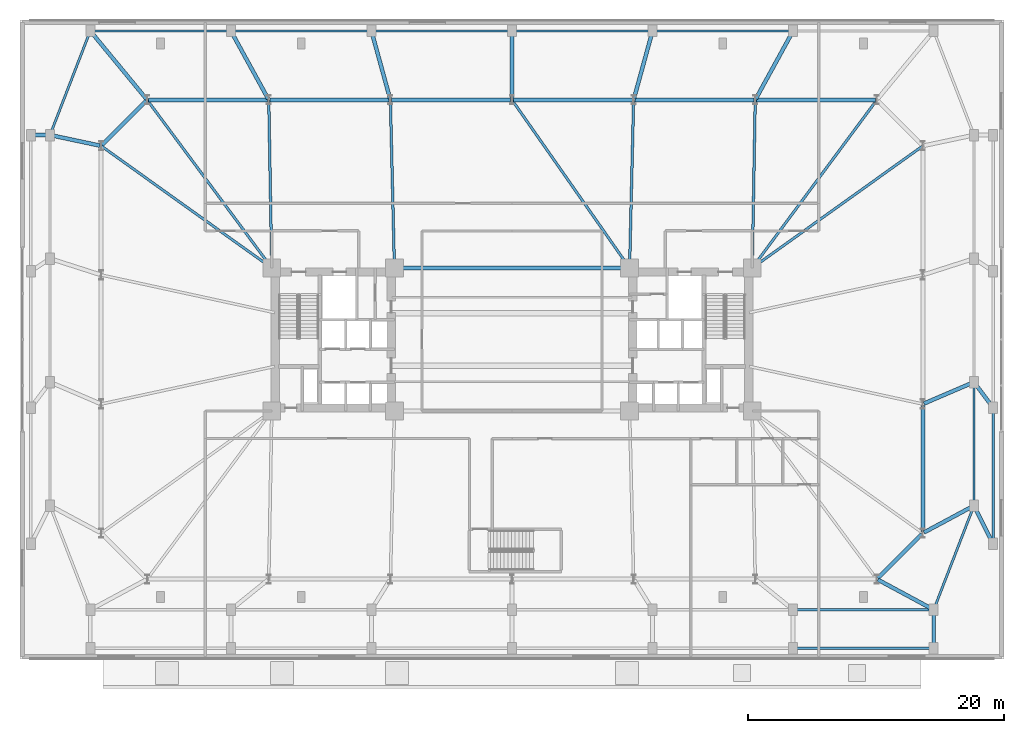
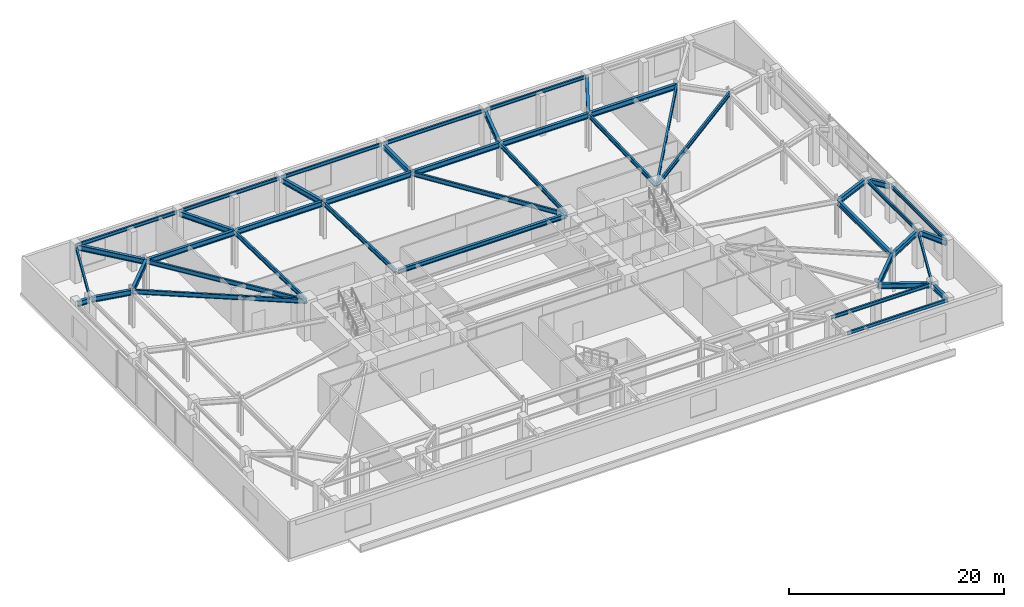
# One storey, part 10 of 21: 44 beams.
"""IFC4 building model written with IfcOpenShell, lengths in metres."""

from ifc_helpers import new_model, si_unit, direction, frame, origin, origin_2d, place, context, subcontext, project, spatial, i_section, extrude, material, material_profile, profile_set, type_object, element, save


model = new_model("IFC4")

# Units and contexts
model_context = context("Model", 3, precision=1e-05, world=origin(), true_north=direction((0.0, 1.0)))
body_context = subcontext(model_context, "Body", "Model", "MODEL_VIEW")
ifc_project = project(units=[si_unit("LENGTHUNIT", "METRE"), si_unit("AREAUNIT", "SQUARE_METRE"), si_unit("VOLUMEUNIT", "CUBIC_METRE"), si_unit("PLANEANGLEUNIT", "RADIAN"), si_unit("MASSUNIT", "GRAM", prefix="KILO")], contexts=[model_context])

# Site, building, storey
site_placement = place(None, origin())
site = spatial("IfcSite", under=ifc_project, at=site_placement, CompositionType="ELEMENT")
building_placement = place(site_placement, origin())
building = spatial("IfcBuilding", under=site, at=building_placement, Name="Qobustan Lattice House", CompositionType="ELEMENT")
storey_placement = place(building_placement, frame((0.0, 0.0, 4.5)))
storey = spatial("IfcBuildingStorey", under=building, at=storey_placement, Name="L01", CompositionType="ELEMENT", Elevation=4.5)

# Beams
ifc_material_1 = material(Name="Steel S355", Category="steel")
ifc_material_profile_1 = material_profile(ifc_material_1, i_section(OverallWidth=0.300048828125, OverallDepth=0.5, WebThickness=0.014404296875, FlangeThickness=0.028076171875, FilletRadius=0.027099609375, at=origin_2d()), Name="HEB500")
ifc_profile_set_1 = profile_set([ifc_material_profile_1], Name="Steel S355")
beam_type_1 = type_object("IfcBeamType", Name="BM-CG-HEB500", PredefinedType="USERDEFINED", material=ifc_profile_set_1)
beam_1_placement = place(storey_placement, frame((-9.050048828125, 5.60009765625, 3.919921875), z_axis=(1.0, 0.0, 0.0), x_axis=(0.0, 1.0, 0.0)))
element("IfcBeam", 1, at=beam_1_placement, inside=storey, type_object=beam_type_1, Name="L01 core spine girder CG-CN", ObjectType="GIRDER", PredefinedType="USERDEFINED", context=body_context, shape_type="SweptSolid", body=[
    extrude(i_section(OverallWidth=0.300048828125, OverallDepth=0.5, WebThickness=0.014404296875, FlangeThickness=0.028076171875, FilletRadius=0.027099609375, at=origin_2d()), origin(), (0.0, 0.0, 1.0), 18.10009765625),
])
ifc_material_2 = material(Name="Steel S355", Category="steel")
ifc_material_profile_2 = material_profile(ifc_material_2, i_section(OverallWidth=0.199951171875, OverallDepth=0.5, WebThickness=0.01025390625, FlangeThickness=0.01611328125, FilletRadius=0.02099609375, at=origin_2d()), Name="IPE500")
ifc_profile_set_2 = profile_set([ifc_material_profile_2], Name="Steel S355")
beam_type_2 = type_object("IfcBeamType", Name="BM-FLG-IPE500", PredefinedType="USERDEFINED", material=ifc_profile_set_2)
beam_2_placement = place(storey_placement, frame((-28.53515625, 18.72998046875, 3.919921875), z_axis=(0.5955916815, -0.803287338956, 0.0), x_axis=(0.803287338956, 0.5955916815, 0.0)))
element("IfcBeam", 2, at=beam_2_placement, inside=storey, type_object=beam_type_2, Name="L01 primary floor girder RAD-N7W", ObjectType="GIRDER", PredefinedType="USERDEFINED", context=body_context, shape_type="SweptSolid", body=[
    extrude(i_section(OverallWidth=0.199951171875, OverallDepth=0.5, WebThickness=0.01025390625, FlangeThickness=0.01611328125, FilletRadius=0.02099609375, at=origin_2d()), origin(), (0.0, 0.0, 1.0), 16.3203125),
])
beam_3_placement = place(storey_placement, frame((-19.032958984375, 18.72509765625, 3.919921875), z_axis=(0.017757831607, -0.999842317276, 0.0), x_axis=(0.999842317276, 0.017757831607, 0.0)))
element("IfcBeam", 3, at=beam_3_placement, inside=storey, type_object=beam_type_2, Name="L01 primary floor girder RAD-N6", ObjectType="GIRDER", PredefinedType="USERDEFINED", context=body_context, shape_type="SweptSolid", body=[
    extrude(i_section(OverallWidth=0.199951171875, OverallDepth=0.5, WebThickness=0.01025390625, FlangeThickness=0.01611328125, FilletRadius=0.02099609375, at=origin_2d()), origin(), (0.0, 0.0, 1.0), 13.10205078125),
])
beam_4_placement = place(storey_placement, frame((-9.51611328125, 18.72509765625, 3.919921875), z_axis=(0.024071445657, -0.999710240772, 0.0), x_axis=(0.999710240772, 0.024071445657, 0.0)))
element("IfcBeam", 4, at=beam_4_placement, inside=storey, type_object=beam_type_2, Name="L01 primary floor girder RAD-N5", ObjectType="GIRDER", PredefinedType="USERDEFINED", context=body_context, shape_type="SweptSolid", body=[
    extrude(i_section(OverallWidth=0.199951171875, OverallDepth=0.5, WebThickness=0.01025390625, FlangeThickness=0.01611328125, FilletRadius=0.02099609375, at=origin_2d()), origin(), (0.0, 0.0, 1.0), 13.10400390625),
])
beam_5_placement = place(storey_placement, frame((0.014404296875, 18.7294921875, 3.919921875), z_axis=(0.57325954206, -0.819373844736, 0.0), x_axis=(0.819373844736, 0.57325954206, 0.0)))
element("IfcBeam", 5, at=beam_5_placement, inside=storey, type_object=beam_type_2, Name="L01 primary floor girder RAD-N4", ObjectType="GIRDER", PredefinedType="USERDEFINED", context=body_context, shape_type="SweptSolid", body=[
    extrude(i_section(OverallWidth=0.199951171875, OverallDepth=0.5, WebThickness=0.01025390625, FlangeThickness=0.01611328125, FilletRadius=0.02099609375, at=origin_2d()), origin(), (0.0, 0.0, 1.0), 15.998779296875),
])
beam_6_placement = place(storey_placement, frame((9.51611328125, 18.72509765625, 3.919921875), z_axis=(-0.024071445657, -0.999710240772, 0.0), x_axis=(0.999710240772, -0.024071445657, 0.0)))
element("IfcBeam", 6, at=beam_6_placement, inside=storey, type_object=beam_type_2, Name="L01 primary floor girder RAD-N3", ObjectType="GIRDER", PredefinedType="USERDEFINED", context=body_context, shape_type="SweptSolid", body=[
    extrude(i_section(OverallWidth=0.199951171875, OverallDepth=0.5, WebThickness=0.01025390625, FlangeThickness=0.01611328125, FilletRadius=0.02099609375, at=origin_2d()), origin(), (0.0, 0.0, 1.0), 13.10400390625),
])
beam_7_placement = place(storey_placement, frame((19.032958984375, 18.72509765625, 3.919921875), z_axis=(-0.017757831607, -0.999842317276, 0.0), x_axis=(0.999842317276, -0.017757831607, 0.0)))
element("IfcBeam", 7, at=beam_7_placement, inside=storey, type_object=beam_type_2, Name="L01 primary floor girder RAD-N2", ObjectType="GIRDER", PredefinedType="USERDEFINED", context=body_context, shape_type="SweptSolid", body=[
    extrude(i_section(OverallWidth=0.199951171875, OverallDepth=0.5, WebThickness=0.01025390625, FlangeThickness=0.01611328125, FilletRadius=0.02099609375, at=origin_2d()), origin(), (0.0, 0.0, 1.0), 13.10205078125),
])
beam_8_placement = place(storey_placement, frame((28.53515625, 18.72998046875, 3.919921875), z_axis=(-0.5955916815, -0.803287338956, 0.0), x_axis=(0.803287338956, -0.5955916815, 0.0)))
element("IfcBeam", 8, at=beam_8_placement, inside=storey, type_object=beam_type_2, Name="L01 primary floor girder RAD-N1E", ObjectType="GIRDER", PredefinedType="USERDEFINED", context=body_context, shape_type="SweptSolid", body=[
    extrude(i_section(OverallWidth=0.199951171875, OverallDepth=0.5, WebThickness=0.01025390625, FlangeThickness=0.01611328125, FilletRadius=0.02099609375, at=origin_2d()), origin(), (0.0, 0.0, 1.0), 16.3203125),
])
for number, where, z_axis, x_axis, name in (
    (9, (-32.129638671875, 15.135498046875, 3.919921875), (0.813318954893, -0.581818079481, 0.0), (0.581818079481, 0.813318954893, 0.0), "L01 primary floor girder RAD-W1"),
    (10, (32.129638671875, 15.135498046875, 3.919921875), (-0.813318954893, -0.581818079481, 0.0), (0.581818079481, -0.813318954893, 0.0), "L01 primary floor girder RAD-E4"),
):
    element("IfcBeam", number, at=place(storey_placement, frame(where, z_axis=z_axis, x_axis=x_axis)), inside=storey, type_object=beam_type_2, Name=name, ObjectType="GIRDER", PredefinedType="USERDEFINED", context=body_context, shape_type="SweptSolid", body=[
        extrude(i_section(OverallWidth=0.199951171875, OverallDepth=0.5, WebThickness=0.01025390625, FlangeThickness=0.01611328125, FilletRadius=0.02099609375, at=origin_2d()), origin(), (0.0, 0.0, 1.0), 16.3642578125),
    ])
ifc_material_3 = material(Name="Steel S355", Category="steel")
ifc_material_profile_3 = material_profile(ifc_material_3, i_section(OverallWidth=0.300048828125, OverallDepth=0.60009765625, WebThickness=0.015380859375, FlangeThickness=0.030029296875, FilletRadius=0.027099609375, at=origin_2d()), Name="HEB600")
ifc_profile_set_3 = profile_set([ifc_material_profile_3], Name="Steel S355")
beam_type_3 = type_object("IfcBeamType", Name="BM-POD-HEB600", PredefinedType="USERDEFINED", material=ifc_profile_set_3)
beam_9_placement = place(storey_placement, frame((33.0, -24.030029296875, 3.8701171875), z_axis=(0.0, 1.0, 0.0), x_axis=(-1.0, 0.0, 0.0)))
element("IfcBeam", 11, at=beam_9_placement, inside=storey, type_object=beam_type_3, Name="L01 south terrace tie girder 7", ObjectType="GIRDER", PredefinedType="USERDEFINED", context=body_context, shape_type="SweptSolid", body=[
    extrude(i_section(OverallWidth=0.300048828125, OverallDepth=0.60009765625, WebThickness=0.015380859375, FlangeThickness=0.030029296875, FilletRadius=0.027099609375, at=origin_2d()), origin(), (0.0, 0.0, 1.0), 2.760009765625),
])
beam_10_placement = place(storey_placement, frame((37.59619140625, -15.892578125, 3.8701171875), z_axis=(-0.4472135955, 0.894427191, 0.0), x_axis=(-0.894427191, -0.4472135955, 0.0)))
element("IfcBeam", 12, at=beam_10_placement, inside=storey, type_object=beam_type_3, Name="L01 setback tie girder PEL1", ObjectType="GIRDER", PredefinedType="USERDEFINED", context=body_context, shape_type="SweptSolid", body=[
    extrude(i_section(OverallWidth=0.300048828125, OverallDepth=0.60009765625, WebThickness=0.015380859375, FlangeThickness=0.030029296875, FilletRadius=0.027099609375, at=origin_2d()), origin(), (0.0, 0.0, 1.0), 3.114013671875),
])
beam_11_placement = place(storey_placement, frame((37.577880859375, -5.2373046875, 3.8701171875), z_axis=(-0.599965431752, 0.800025925019, 0.0), x_axis=(-0.800025925019, -0.599965431752, 0.0)))
element("IfcBeam", 13, at=beam_11_placement, inside=storey, type_object=beam_type_3, Name="L01 setback tie girder PEL2", ObjectType="GIRDER", PredefinedType="USERDEFINED", context=body_context, shape_type="SweptSolid", body=[
    extrude(i_section(OverallWidth=0.300048828125, OverallDepth=0.60009765625, WebThickness=0.015380859375, FlangeThickness=0.030029296875, FilletRadius=0.027099609375, at=origin_2d()), origin(), (0.0, 0.0, 1.0), 2.260009765625),
])
beam_12_placement = place(storey_placement, frame((-37.530029296875, 16.0, 3.8701171875), z_axis=(1.0, 0.0, 0.0), x_axis=(0.0, 1.0, 0.0)))
element("IfcBeam", 14, at=beam_12_placement, inside=storey, type_object=beam_type_3, Name="L01 setback tie girder PWL4", ObjectType="GIRDER", PredefinedType="USERDEFINED", context=body_context, shape_type="SweptSolid", body=[
    extrude(i_section(OverallWidth=0.300048828125, OverallDepth=0.60009765625, WebThickness=0.015380859375, FlangeThickness=0.030029296875, FilletRadius=0.027099609375, at=origin_2d()), origin(), (0.0, 0.0, 1.0), 1.260009765625),
])
beam_13_placement = place(storey_placement, frame((28.62060546875, -18.67919921875, 3.8701171875), z_axis=(0.70713173775, 0.707081823743, 0.0), x_axis=(-0.707081823743, 0.70713173775, 0.0)))
element("IfcBeam", 15, at=beam_13_placement, inside=storey, type_object=beam_type_3, Name="L01 tower base ring girder S7-E1", ObjectType="GIRDER", PredefinedType="USERDEFINED", context=body_context, shape_type="SweptSolid", body=[
    extrude(i_section(OverallWidth=0.300048828125, OverallDepth=0.60009765625, WebThickness=0.015380859375, FlangeThickness=0.030029296875, FilletRadius=0.027099609375, at=origin_2d()), origin(), (0.0, 0.0, 1.0), 4.89111328125),
])
beam_14_placement = place(storey_placement, frame((32.14990234375, -15.050048828125, 3.8701171875), z_axis=(0.0, 1.0, 0.0), x_axis=(-1.0, 0.0, 0.0)))
element("IfcBeam", 16, at=beam_14_placement, inside=storey, type_object=beam_type_3, Name="L01 tower base ring girder E1-E2", ObjectType="GIRDER", PredefinedType="USERDEFINED", context=body_context, shape_type="SweptSolid", body=[
    extrude(i_section(OverallWidth=0.300048828125, OverallDepth=0.60009765625, WebThickness=0.015380859375, FlangeThickness=0.030029296875, FilletRadius=0.027099609375, at=origin_2d()), origin(), (0.0, 0.0, 1.0), 9.900146484375),
])
for number, where, z_axis, x_axis, name in (
    (17, (28.449951171875, 18.75, 3.8701171875), (-1.0, 0.0, 0.0), (0.0, -1.0, 0.0), "L01 tower base ring girder N1-N2"),
    (18, (18.933349609375, 18.75, 3.8701171875), (-1.0, 0.0, 0.0), (0.0, -1.0, 0.0), "L01 tower base ring girder N2-N3"),
    (19, (9.416748046875, 18.75, 3.8701171875), (-1.0, 0.0, 0.0), (0.0, -1.0, 0.0), "L01 tower base ring girder N3-N4"),
    (20, (-0.10009765625, 18.75, 3.8701171875), (-1.0, 0.0, 0.0), (0.0, -1.0, 0.0), "L01 tower base ring girder N4-N5"),
    (21, (-9.61669921875, 18.75, 3.8701171875), (-1.0, 0.0, 0.0), (0.0, -1.0, 0.0), "L01 tower base ring girder N5-N6"),
    (22, (-19.13330078125, 18.75, 3.8701171875), (-1.0, 0.0, 0.0), (0.0, -1.0, 0.0), "L01 tower base ring girder N6-N7"),
):
    element("IfcBeam", number, at=place(storey_placement, frame(where, z_axis=z_axis, x_axis=x_axis)), inside=storey, type_object=beam_type_3, Name=name, ObjectType="GIRDER", PredefinedType="USERDEFINED", context=body_context, shape_type="SweptSolid", body=[
        extrude(i_section(OverallWidth=0.300048828125, OverallDepth=0.60009765625, WebThickness=0.015380859375, FlangeThickness=0.030029296875, FilletRadius=0.027099609375, at=origin_2d()), origin(), (0.0, 0.0, 1.0), 9.316650390625),
    ])
beam_15_placement = place(storey_placement, frame((-28.62060546875, 18.67919921875, 3.8701171875), z_axis=(-0.70713173775, -0.707081823743, 0.0), x_axis=(0.707081823743, -0.70713173775, 0.0)))
element("IfcBeam", 23, at=beam_15_placement, inside=storey, type_object=beam_type_3, Name="L01 tower base ring girder N7-W1", ObjectType="GIRDER", PredefinedType="USERDEFINED", context=body_context, shape_type="SweptSolid", body=[
    extrude(i_section(OverallWidth=0.300048828125, OverallDepth=0.60009765625, WebThickness=0.015380859375, FlangeThickness=0.030029296875, FilletRadius=0.027099609375, at=origin_2d()), origin(), (0.0, 0.0, 1.0), 4.89111328125),
])
beam_16_placement = place(storey_placement, frame((-32.923583984375, 24.057373046875, 3.8701171875), z_axis=(0.635954703728, -0.771726385973, 0.0), x_axis=(0.771726385973, 0.635954703728, 0.0)))
element("IfcBeam", 24, at=beam_16_placement, inside=storey, type_object=beam_type_3, Name="L01 podium radial girder PN1", ObjectType="GIRDER", PredefinedType="USERDEFINED", context=body_context, shape_type="SweptSolid", body=[
    extrude(i_section(OverallWidth=0.300048828125, OverallDepth=0.60009765625, WebThickness=0.015380859375, FlangeThickness=0.030029296875, FilletRadius=0.027099609375, at=origin_2d()), origin(), (0.0, 0.0, 1.0), 6.77734375),
])
beam_17_placement = place(storey_placement, frame((-21.942138671875, 24.044921875, 3.8701171875), z_axis=(0.481478583255, -0.876457856298, 0.0), x_axis=(0.876457856298, 0.481478583255, 0.0)))
element("IfcBeam", 25, at=beam_17_placement, inside=storey, type_object=beam_type_3, Name="L01 podium radial girder PN2", ObjectType="GIRDER", PredefinedType="USERDEFINED", context=body_context, shape_type="SweptSolid", body=[
    extrude(i_section(OverallWidth=0.300048828125, OverallDepth=0.60009765625, WebThickness=0.015380859375, FlangeThickness=0.030029296875, FilletRadius=0.027099609375, at=origin_2d()), origin(), (0.0, 0.0, 1.0), 5.941162109375),
])
beam_18_placement = place(storey_placement, frame((-10.96826171875, 24.0341796875, 3.8701171875), z_axis=(0.264883295611, -0.964280477717, 0.0), x_axis=(0.964280477717, 0.264883295611, 0.0)))
element("IfcBeam", 26, at=beam_18_placement, inside=storey, type_object=beam_type_3, Name="L01 podium radial girder PN3", ObjectType="GIRDER", PredefinedType="USERDEFINED", context=body_context, shape_type="SweptSolid", body=[
    extrude(i_section(OverallWidth=0.300048828125, OverallDepth=0.60009765625, WebThickness=0.015380859375, FlangeThickness=0.030029296875, FilletRadius=0.027099609375, at=origin_2d()), origin(), (0.0, 0.0, 1.0), 5.3798828125),
])
beam_19_placement = place(storey_placement, frame((0.0, 24.030029296875, 3.8701171875), z_axis=(0.0, -1.0, 0.0), x_axis=(1.0, 0.0, 0.0)))
element("IfcBeam", 27, at=beam_19_placement, inside=storey, type_object=beam_type_3, Name="L01 podium radial girder PN4", ObjectType="GIRDER", PredefinedType="USERDEFINED", context=body_context, shape_type="SweptSolid", body=[
    extrude(i_section(OverallWidth=0.300048828125, OverallDepth=0.60009765625, WebThickness=0.015380859375, FlangeThickness=0.030029296875, FilletRadius=0.027099609375, at=origin_2d()), origin(), (0.0, 0.0, 1.0), 5.179931640625),
])
beam_20_placement = place(storey_placement, frame((10.96826171875, 24.0341796875, 3.8701171875), z_axis=(-0.264883295611, -0.964280477717, 0.0), x_axis=(0.964280477717, -0.264883295611, 0.0)))
element("IfcBeam", 28, at=beam_20_placement, inside=storey, type_object=beam_type_3, Name="L01 podium radial girder PN5", ObjectType="GIRDER", PredefinedType="USERDEFINED", context=body_context, shape_type="SweptSolid", body=[
    extrude(i_section(OverallWidth=0.300048828125, OverallDepth=0.60009765625, WebThickness=0.015380859375, FlangeThickness=0.030029296875, FilletRadius=0.027099609375, at=origin_2d()), origin(), (0.0, 0.0, 1.0), 5.3798828125),
])
beam_21_placement = place(storey_placement, frame((21.942138671875, 24.044921875, 3.8701171875), z_axis=(-0.481478583255, -0.876457856298, 0.0), x_axis=(0.876457856298, -0.481478583255, 0.0)))
element("IfcBeam", 29, at=beam_21_placement, inside=storey, type_object=beam_type_3, Name="L01 podium radial girder PN6", ObjectType="GIRDER", PredefinedType="USERDEFINED", context=body_context, shape_type="SweptSolid", body=[
    extrude(i_section(OverallWidth=0.300048828125, OverallDepth=0.60009765625, WebThickness=0.015380859375, FlangeThickness=0.030029296875, FilletRadius=0.027099609375, at=origin_2d()), origin(), (0.0, 0.0, 1.0), 5.941162109375),
])
beam_22_placement = place(storey_placement, frame((32.894287109375, -21.093017578125, 3.8701171875), z_axis=(-0.88016615165, 0.474665719732, 0.0), x_axis=(-0.474665719732, -0.88016615165, 0.0)))
element("IfcBeam", 30, at=beam_22_placement, inside=storey, type_object=beam_type_3, Name="L01 podium radial girder PS7", ObjectType="GIRDER", PredefinedType="USERDEFINED", context=body_context, shape_type="SweptSolid", body=[
    extrude(i_section(OverallWidth=0.300048828125, OverallDepth=0.60009765625, WebThickness=0.015380859375, FlangeThickness=0.030029296875, FilletRadius=0.027099609375, at=origin_2d()), origin(), (0.0, 0.0, 1.0), 4.8359375),
])
beam_23_placement = place(storey_placement, frame((36.044189453125, -13.056884765625, 3.8701171875), z_axis=(-0.880815561441, -0.473459551307, 0.0), x_axis=(0.473459551307, -0.880815561441, 0.0)))
element("IfcBeam", 31, at=beam_23_placement, inside=storey, type_object=beam_type_3, Name="L01 podium radial girder PE1", ObjectType="GIRDER", PredefinedType="USERDEFINED", context=body_context, shape_type="SweptSolid", body=[
    extrude(i_section(OverallWidth=0.300048828125, OverallDepth=0.60009765625, WebThickness=0.015380859375, FlangeThickness=0.030029296875, FilletRadius=0.027099609375, at=origin_2d()), origin(), (0.0, 0.0, 1.0), 4.3212890625),
])
beam_24_placement = place(storey_placement, frame((36.039794921875, -3.380615234375, 3.8701171875), z_axis=(-0.918949362679, -0.394375542893, 0.0), x_axis=(0.394375542893, -0.918949362679, 0.0)))
element("IfcBeam", 32, at=beam_24_placement, inside=storey, type_object=beam_type_3, Name="L01 podium radial girder PE2", ObjectType="GIRDER", PredefinedType="USERDEFINED", context=body_context, shape_type="SweptSolid", body=[
    extrude(i_section(OverallWidth=0.300048828125, OverallDepth=0.60009765625, WebThickness=0.015380859375, FlangeThickness=0.030029296875, FilletRadius=0.027099609375, at=origin_2d()), origin(), (0.0, 0.0, 1.0), 4.1328125),
])
beam_25_placement = place(storey_placement, frame((-36.03271484375, 15.97509765625, 3.8701171875), z_axis=(0.978163821655, -0.207835362738, 0.0), x_axis=(0.207835362738, 0.978163821655, 0.0)))
element("IfcBeam", 33, at=beam_25_placement, inside=storey, type_object=beam_type_3, Name="L01 podium radial girder PW4", ObjectType="GIRDER", PredefinedType="USERDEFINED", context=body_context, shape_type="SweptSolid", body=[
    extrude(i_section(OverallWidth=0.300048828125, OverallDepth=0.60009765625, WebThickness=0.015380859375, FlangeThickness=0.030029296875, FilletRadius=0.027099609375, at=origin_2d()), origin(), (0.0, 0.0, 1.0), 3.869384765625),
])
ifc_material_4 = material(Name="Steel S355", Category="steel")
ifc_material_profile_4 = material_profile(ifc_material_4, i_section(OverallWidth=0.179931640625, OverallDepth=0.39990234375, WebThickness=0.008544921875, FlangeThickness=0.013427734375, FilletRadius=0.02099609375, at=origin_2d()), Name="IPE400")
ifc_profile_set_4 = profile_set([ifc_material_profile_4], Name="Steel S355")
beam_type_4 = type_object("IfcBeamType", Name="BM-SPD-IPE400", PredefinedType="SPANDREL", material=ifc_profile_set_4)
for number, where, z_axis, x_axis, name in (
    (34, (22.1201171875, -21.14990234375, 3.969970703125), (1.0, 0.0, 0.0), (0.0, 1.0, 0.0), "L01 podium spandrel PS6-PS7"),
    (35, (-32.8798828125, 24.14990234375, 3.969970703125), (1.0, 0.0, 0.0), (0.0, 1.0, 0.0), "L01 podium spandrel PN1-PN2"),
    (36, (-21.8798828125, 24.14990234375, 3.969970703125), (1.0, 0.0, 0.0), (0.0, 1.0, 0.0), "L01 podium spandrel PN2-PN3"),
    (37, (-10.8798828125, 24.14990234375, 3.969970703125), (1.0, 0.0, 0.0), (0.0, 1.0, 0.0), "L01 podium spandrel PN3-PN4"),
    (38, (0.1201171875, 24.14990234375, 3.969970703125), (1.0, 0.0, 0.0), (0.0, 1.0, 0.0), "L01 podium spandrel PN4-PN5"),
    (39, (11.1201171875, 24.14990234375, 3.969970703125), (1.0, 0.0, 0.0), (0.0, 1.0, 0.0), "L01 podium spandrel PN5-PN6"),
):
    element("IfcBeam", number, at=place(storey_placement, frame(where, z_axis=z_axis, x_axis=x_axis)), inside=storey, type_object=beam_type_4, Name=name, PredefinedType="SPANDREL", context=body_context, shape_type="SweptSolid", body=[
        extrude(i_section(OverallWidth=0.179931640625, OverallDepth=0.39990234375, WebThickness=0.008544921875, FlangeThickness=0.013427734375, FilletRadius=0.02099609375, at=origin_2d()), origin(), (0.0, 0.0, 1.0), 10.759765625),
    ])
beam_26_placement = place(storey_placement, frame((36.14990234375, -12.8798828125, 3.969970703125), z_axis=(0.0, 1.0, 0.0), x_axis=(-1.0, 0.0, 0.0)))
element("IfcBeam", 40, at=beam_26_placement, inside=storey, type_object=beam_type_4, Name="L01 podium spandrel PE1-PE2", PredefinedType="SPANDREL", context=body_context, shape_type="SweptSolid", body=[
    extrude(i_section(OverallWidth=0.179931640625, OverallDepth=0.39990234375, WebThickness=0.008544921875, FlangeThickness=0.013427734375, FilletRadius=0.02099609375, at=origin_2d()), origin(), (0.0, 0.0, 1.0), 9.426513671875),
])
beam_27_placement = place(storey_placement, frame((-36.106689453125, 16.112060546875, 3.969970703125), z_axis=(0.360516886299, 0.932752686779, 0.0), x_axis=(-0.932752686779, 0.360516886299, 0.0)))
element("IfcBeam", 41, at=beam_27_placement, inside=storey, type_object=beam_type_4, Name="L01 podium corner tie PW4-PN1", PredefinedType="SPANDREL", context=body_context, shape_type="SweptSolid", body=[
    extrude(i_section(OverallWidth=0.179931640625, OverallDepth=0.39990234375, WebThickness=0.008544921875, FlangeThickness=0.013427734375, FilletRadius=0.02099609375, at=origin_2d()), origin(), (0.0, 0.0, 1.0), 8.49755859375),
])
beam_28_placement = place(storey_placement, frame((36.106689453125, -13.11181640625, 3.969970703125), z_axis=(-0.360507225068, -0.93275642087, 0.0), x_axis=(0.93275642087, -0.360507225068, 0.0)))
element("IfcBeam", 42, at=beam_28_placement, inside=storey, type_object=beam_type_4, Name="L01 podium corner tie PE1-PS7", PredefinedType="SPANDREL", context=body_context, shape_type="SweptSolid", body=[
    extrude(i_section(OverallWidth=0.179931640625, OverallDepth=0.39990234375, WebThickness=0.008544921875, FlangeThickness=0.013427734375, FilletRadius=0.02099609375, at=origin_2d()), origin(), (0.0, 0.0, 1.0), 8.497802734375),
])
beam_29_placement = place(storey_placement, frame((22.1201171875, -24.14990234375, 3.969970703125), z_axis=(1.0, 0.0, 0.0), x_axis=(0.0, 1.0, 0.0)))
element("IfcBeam", 43, at=beam_29_placement, inside=storey, type_object=beam_type_4, Name="L01 lower podium spandrel PSL6-PSL7", PredefinedType="SPANDREL", context=body_context, shape_type="SweptSolid", body=[
    extrude(i_section(OverallWidth=0.179931640625, OverallDepth=0.39990234375, WebThickness=0.008544921875, FlangeThickness=0.013427734375, FilletRadius=0.02099609375, at=origin_2d()), origin(), (0.0, 0.0, 1.0), 10.759765625),
])
beam_30_placement = place(storey_placement, frame((37.64990234375, -15.8798828125, 3.969970703125), z_axis=(0.0, 1.0, 0.0), x_axis=(-1.0, 0.0, 0.0)))
element("IfcBeam", 44, at=beam_30_placement, inside=storey, type_object=beam_type_4, Name="L01 lower podium spandrel PEL1-PEL2", PredefinedType="SPANDREL", context=body_context, shape_type="SweptSolid", body=[
    extrude(i_section(OverallWidth=0.179931640625, OverallDepth=0.39990234375, WebThickness=0.008544921875, FlangeThickness=0.013427734375, FilletRadius=0.02099609375, at=origin_2d()), origin(), (0.0, 0.0, 1.0), 10.426513671875),
])

save(model, "model.ifc")
